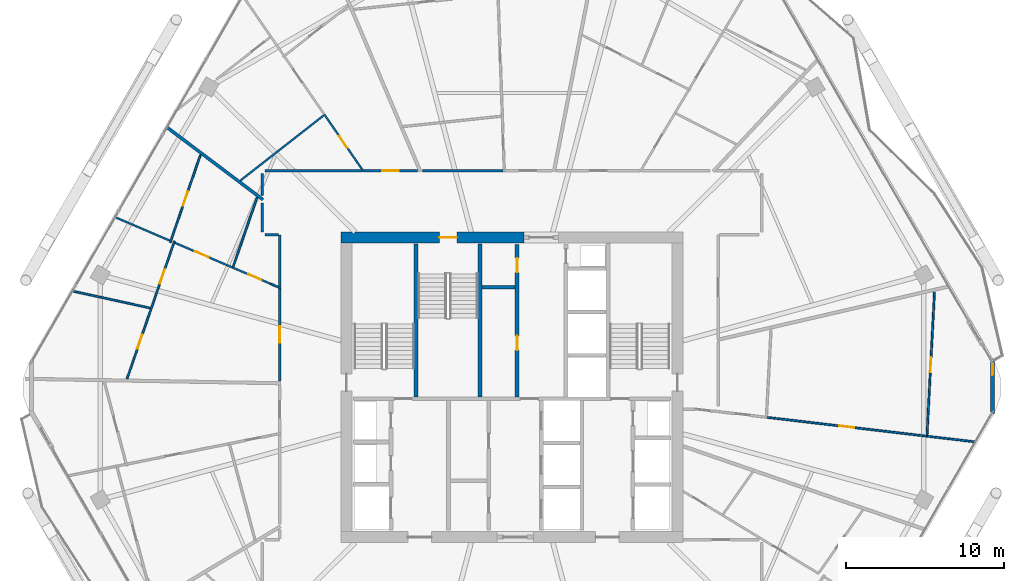
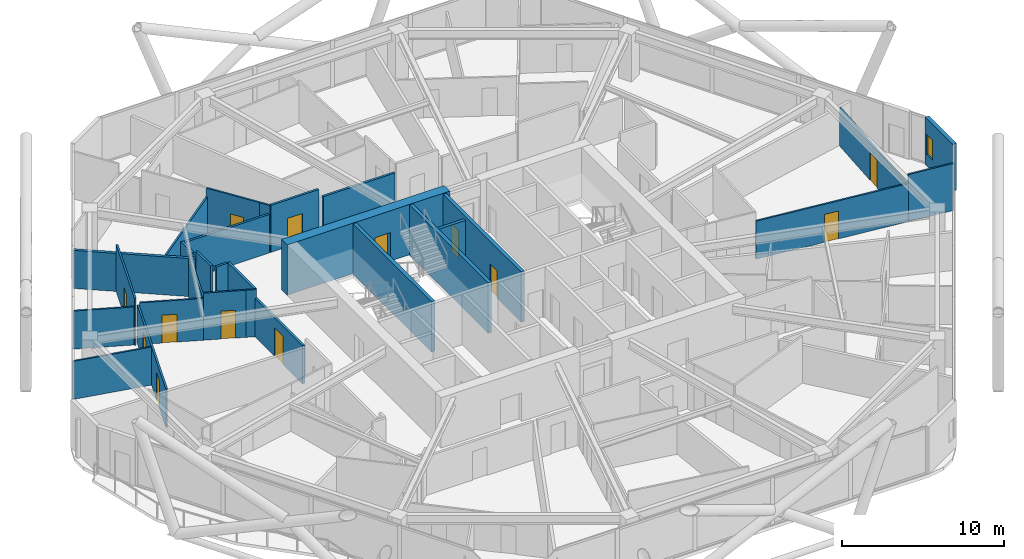
# One storey, part 22 of 27: 29 walls, 13 doors, 1 window, 14 openings.
"""IFC4 building model written with IfcOpenShell, lengths in metres."""

from ifc_helpers import new_model, si_unit, direction, frame, frame_2d, origin, place, context, subcontext, project, spatial, rectangle, extrude, material, layer, layer_set, type_object, element, fill, save


model = new_model("IFC4")

# Units and contexts
model_context = context("Model", 3, precision=1e-05, world=origin(), true_north=direction((0.0, 1.0)))
body_context = subcontext(model_context, "Body", "Model", "MODEL_VIEW")
ifc_project = project(units=[si_unit("LENGTHUNIT", "METRE"), si_unit("AREAUNIT", "SQUARE_METRE"), si_unit("VOLUMEUNIT", "CUBIC_METRE"), si_unit("PLANEANGLEUNIT", "RADIAN"), si_unit("MASSUNIT", "GRAM", prefix="KILO")], contexts=[model_context])

# Site, building, storey
site_placement = place(None, origin())
site = spatial("IfcSite", under=ifc_project, at=site_placement, CompositionType="ELEMENT")
building_placement = place(site_placement, origin())
building = spatial("IfcBuilding", under=site, at=building_placement, Name="Zuhravey Tower", CompositionType="ELEMENT")
storey_placement = place(building_placement, frame((0.0, 0.0, 215.0)))
storey = spatial("IfcBuildingStorey", under=building, at=storey_placement, Name="L54", CompositionType="ELEMENT", Elevation=215.0)

# Wall, opening, door
ifc_material_1 = material(Name="Concrete C60/75", Category="concrete")
ifc_layer_1 = layer(ifc_material_1, 0.699951171875)
ifc_layer_set_1 = layer_set([ifc_layer_1], Name="Concrete C60/75")
wall_type_1 = type_object("IfcWallType", Name="Core Shear Wall 700", PredefinedType="SHEAR", material=ifc_layer_set_1)
wall_1_placement = place(storey_placement, frame((36.75, 41.5, 0.0), z_axis=(0.0, 0.0, 1.0), x_axis=(-1.0, 0.0, 0.0)))
wall_1 = element("IfcWall", 1, at=wall_1_placement, inside=storey, type_object=wall_type_1, Name="L54 North-West Core Shear Wall CW70", PredefinedType="SHEAR", context=body_context, shape_type="SweptSolid", body=[
    extrude(rectangle(XDim=11.60009765625, YDim=0.699951171875, at=frame_2d((5.800048828125, 0.0))), origin(), (0.0, 0.0, 1.0), 3.800048828125),
])
opening_1_placement = place(wall_1_placement, frame((4.25, 0.0, 0.0)))
opening_1 = element("IfcOpeningElement", 2, at=opening_1_placement, cuts=wall_1, Name="Opening STD1", PredefinedType="OPENING", context=body_context, shape_type="SweptSolid", body=[
    extrude(rectangle(XDim=1.10009765625, YDim=2.14990234375, at=frame_2d((0.550048828125, 1.074951171875))), frame((0.0, 0.362060546875, 0.0), z_axis=(0.0, -1.0, 0.0), x_axis=(1.0, 0.0, 0.0)), (0.0, 0.0, 1.0), 0.723876953125),
])
ifc_material_2 = material(Name="Galvanised fire-rated steel leaf", Category="steel")
door_type_1 = type_object("IfcDoorType", Name="Protected Stair Fire Door 1100x2150", OperationType="NOTDEFINED", PredefinedType="USERDEFINED", material=ifc_material_2)
door_1_placement = place(opening_1_placement, origin())
door_1 = element("IfcDoor", 3, at=door_1_placement, inside=storey, type_object=door_type_1, Name="L54 Stair ST3 Door", ObjectType="EXITDOOR", OperationType="SINGLE_SWING_LEFT", OverallHeight=2.14990234375, OverallWidth=1.10009765625, PredefinedType="USERDEFINED", context=body_context, shape_type="SweptSolid", body=[
    extrude(rectangle(XDim=1.10009765625, YDim=2.14990234375, at=frame_2d((0.550048828125, 1.074951171875))), frame((0.0, 0.02490234375, 0.0), z_axis=(0.0, -1.0, 0.0), x_axis=(1.0, 0.0, 0.0)), (0.0, 0.0, 1.0), 0.050048828125),
])
fill(opening_1, door_1)

ifc_material_3 = material(Name="Gypsum fire-rated stud partition")
ifc_layer_2 = layer(ifc_material_3, 0.159912109375)
ifc_layer_set_2 = layer_set([ifc_layer_2], Name="Gypsum fire-rated stud partition")
wall_type_2 = type_object("IfcWallType", Name="Corridor Fire Partition 160", PredefinedType="PARTITIONING", material=ifc_layer_set_2)
wall_2_placement = place(storey_placement, frame((30.00830078125, 45.72998046875, 0.0), z_axis=(0.0, 0.0, 1.0), x_axis=(-1.0, 0.0, 0.0)))
wall_2 = element("IfcWall", 4, at=wall_2_placement, inside=storey, type_object=wall_type_2, Name="L54 IW16 Partition 035", PredefinedType="PARTITIONING", context=body_context, shape_type="SweptSolid", body=[
    extrude(rectangle(XDim=3.427490234375, YDim=0.159912109375, at=frame_2d((1.7138671875, 0.0))), origin(), (0.0, 0.0, 1.0), 3.550048828125),
])
opening_2_placement = place(wall_2_placement, frame((1.188720703125, 0.0, 0.0)))
opening_2 = element("IfcOpeningElement", 5, at=opening_2_placement, cuts=wall_2, Name="Opening APD1", PredefinedType="OPENING", context=body_context, shape_type="SweptSolid", body=[
    extrude(rectangle(XDim=1.050048828125, YDim=2.14990234375, at=frame_2d((0.52490234375, 1.074951171875))), frame((0.0, 0.092041015625, 0.0), z_axis=(0.0, -1.0, 0.0), x_axis=(1.0, 0.0, 0.0)), (0.0, 0.0, 1.0), 0.183837890625),
])
ifc_material_4 = material(Name="Solid-core oak fire-rated leaf")
door_type_2 = type_object("IfcDoorType", Name="Apartment Entrance Fire Door 1050x2150", OperationType="NOTDEFINED", PredefinedType="DOOR", material=ifc_material_4)
door_2_placement = place(opening_2_placement, frame((1.050048828125, 0.0, 0.0), z_axis=(0.0, 0.0, 1.0), x_axis=(-1.0, 0.0, 0.0)))
door_2 = element("IfcDoor", 6, at=door_2_placement, inside=storey, type_object=door_type_2, Name="L54 Door 035.1", OperationType="SINGLE_SWING_LEFT", OverallHeight=2.14990234375, OverallWidth=1.050048828125, PredefinedType="DOOR", context=body_context, shape_type="SweptSolid", body=[
    extrude(rectangle(XDim=1.050048828125, YDim=2.14990234375, at=frame_2d((0.52490234375, 1.074951171875))), frame((0.0, 0.02490234375, 0.0), z_axis=(0.0, -1.0, 0.0), x_axis=(1.0, 0.0, 0.0)), (0.0, 0.0, 1.0), 0.050048828125),
])
fill(opening_2, door_2)

wall_3_placement = place(storey_placement, frame((21.27001953125, 38.29150390625, 0.0), z_axis=(0.0, 0.0, 1.0), x_axis=(0.0, -1.0, 0.0)))
wall_3 = element("IfcWall", 7, at=wall_3_placement, inside=storey, type_object=wall_type_2, Name="L54 IW16 Partition 040", PredefinedType="PARTITIONING", context=body_context, shape_type="SweptSolid", body=[
    extrude(rectangle(XDim=5.8857421875, YDim=0.159912109375, at=frame_2d((2.94287109375, 0.0))), origin(), (0.0, 0.0, 1.0), 2.89990234375),
])
opening_3_placement = place(wall_3_placement, frame((2.41796875, 0.0, 0.0)))
opening_3 = element("IfcOpeningElement", 8, at=opening_3_placement, cuts=wall_3, Name="Opening APD1", PredefinedType="OPENING", context=body_context, shape_type="SweptSolid", body=[
    extrude(rectangle(XDim=1.050048828125, YDim=2.14990234375, at=frame_2d((0.52490234375, 1.074951171875))), frame((0.0, 0.092041015625, 0.0), z_axis=(0.0, -1.0, 0.0), x_axis=(1.0, 0.0, 0.0)), (0.0, 0.0, 1.0), 0.183837890625),
])
door_3_placement = place(opening_3_placement, frame((1.050048828125, 0.0, 0.0), z_axis=(0.0, 0.0, 1.0), x_axis=(-1.0, 0.0, 0.0)))
door_3 = element("IfcDoor", 9, at=door_3_placement, inside=storey, type_object=door_type_2, Name="L54 Door 040.1", OperationType="SINGLE_SWING_LEFT", OverallHeight=2.14990234375, OverallWidth=1.050048828125, PredefinedType="DOOR", context=body_context, shape_type="SweptSolid", body=[
    extrude(rectangle(XDim=1.050048828125, YDim=2.14990234375, at=frame_2d((0.52490234375, 1.074951171875))), frame((0.0, 0.02490234375, 0.0), z_axis=(0.0, -1.0, 0.0), x_axis=(1.0, 0.0, 0.0)), (0.0, 0.0, 1.0), 0.050048828125),
])
fill(opening_3, door_3)

# Walls
wall_4_placement = place(storey_placement, frame((35.44287109375, 45.72998046875, 0.0), z_axis=(0.0, 0.0, 1.0), x_axis=(-1.0, 0.0, 0.0)))
element("IfcWall", 10, at=wall_4_placement, inside=storey, type_object=wall_type_2, Name="L54 IW16 Partition 123", PredefinedType="PARTITIONING", context=body_context, shape_type="SweptSolid", body=[
    extrude(rectangle(XDim=5.1083984375, YDim=0.159912109375, at=frame_2d((2.55419921875, 0.0))), origin(), (0.0, 0.0, 1.0), 2.89990234375),
])
wall_5_placement = place(storey_placement, frame((26.47412109375, 45.72998046875, 0.0), z_axis=(0.0, 0.0, 1.0), x_axis=(-1.0, 0.0, 0.0)))
element("IfcWall", 11, at=wall_5_placement, inside=storey, type_object=wall_type_2, Name="L54 IW16 Partition 124", PredefinedType="PARTITIONING", context=body_context, shape_type="SweptSolid", body=[
    extrude(rectangle(XDim=6.1240234375, YDim=0.159912109375, at=frame_2d((3.06201171875, 0.0))), origin(), (0.0, 0.0, 1.0), 2.89990234375),
])
wall_6_placement = place(storey_placement, frame((20.169921875, 45.550048828125, 0.0), z_axis=(0.0, 0.0, 1.0), x_axis=(0.0, -1.0, 0.0)))
element("IfcWall", 12, at=wall_6_placement, inside=storey, type_object=wall_type_2, Name="L54 IW16 Partition 125", PredefinedType="PARTITIONING", context=body_context, shape_type="SweptSolid", body=[
    extrude(rectangle(XDim=1.3779296875, YDim=0.159912109375, at=frame_2d((0.68896484375, 0.0))), origin(), (0.0, 0.0, 1.0), 3.14990234375),
])
wall_7_placement = place(storey_placement, frame((21.27001953125, 41.669921875, 0.0), z_axis=(0.0, 0.0, 1.0), x_axis=(0.0, -1.0, 0.0)))
element("IfcWall", 13, at=wall_7_placement, inside=storey, type_object=wall_type_2, Name="L54 IW16 Partition 126", PredefinedType="PARTITIONING", context=body_context, shape_type="SweptSolid", body=[
    extrude(rectangle(XDim=3.28271484375, YDim=0.159912109375, at=frame_2d((1.641357421875, 0.0))), origin(), (0.0, 0.0, 1.0), 3.550048828125),
])
wall_8_placement = place(storey_placement, frame((20.169921875, 43.688720703125, 0.0), z_axis=(0.0, 0.0, 1.0), x_axis=(0.0, -1.0, 0.0)))
element("IfcWall", 14, at=wall_8_placement, inside=storey, type_object=wall_type_2, Name="L54 IW16 Partition 127", PredefinedType="PARTITIONING", context=body_context, shape_type="SweptSolid", body=[
    extrude(rectangle(XDim=1.838623046875, YDim=0.159912109375, at=frame_2d((0.91943359375, 0.0))), origin(), (0.0, 0.0, 1.0), 3.550048828125),
])
wall_9_placement = place(storey_placement, frame((20.35009765625, 41.669921875, 0.0), z_axis=(0.0, 0.0, 1.0), x_axis=(1.0, 0.0, 0.0)))
element("IfcWall", 15, at=wall_9_placement, inside=storey, type_object=wall_type_2, Name="L54 IW16 Partition 128", PredefinedType="PARTITIONING", context=body_context, shape_type="SweptSolid", body=[
    extrude(rectangle(XDim=0.831787109375, YDim=0.159912109375, at=frame_2d((0.416015625, 0.0))), origin(), (0.0, 0.0, 1.0), 3.550048828125),
])

# Wall, opening, window
ifc_material_5 = material(Name="Precast concrete C40/50", Category="concrete")
ifc_layer_3 = layer(ifc_material_5, 0.280029296875)
ifc_layer_set_3 = layer_set([ifc_layer_3], Name="Precast concrete C40/50")
wall_type_3 = type_object("IfcWallType", Name="Crown Architectural Wall 280", PredefinedType="SOLIDWALL", material=ifc_layer_set_3)
wall_10_placement = place(storey_placement, frame((66.4716796875, 33.6826171875, 0.0), z_axis=(0.0, 0.0, 1.0), x_axis=(0.0, -1.0, 0.0)))
wall_10 = element("IfcWall", 16, at=wall_10_placement, inside=storey, type_object=wall_type_3, Name="L54 Rounded Corner Closure Wall EW28-12", PredefinedType="SOLIDWALL", context=body_context, shape_type="SweptSolid", body=[
    extrude(rectangle(XDim=3.365234375, YDim=0.280029296875, at=frame_2d((1.6826171875, 0.0))), origin(), (0.0, 0.0, 1.0), 3.550048828125),
])
opening_4_placement = place(wall_10_placement, frame((0.17919921875, 0.0, 0.85009765625)))
opening_4 = element("IfcOpeningElement", 17, at=opening_4_placement, cuts=wall_10, Name="Opening WN5", PredefinedType="OPENING", context=body_context, shape_type="SweptSolid", body=[
    extrude(rectangle(XDim=0.75, YDim=1.5, at=frame_2d((0.375, 0.75))), frame((0.0, 0.152099609375, 0.0), z_axis=(0.0, -1.0, 0.0), x_axis=(1.0, 0.0, 0.0)), (0.0, 0.0, 1.0), 0.303955078125),
])
ifc_material_6 = material(Name="Thermally broken aluminium and triple low-E glass", Category="aluminium")
window_type = type_object("IfcWindowType", Name="Residential Corner Casement Window 750x1500", PartitioningType="SINGLE_PANEL", PredefinedType="WINDOW", material=ifc_material_6)
window_placement = place(opening_4_placement, origin())
window = element("IfcWindow", 18, at=window_placement, inside=storey, type_object=window_type, Name="L54 Corner Casement Window WN5-12.1", OverallHeight=1.5, OverallWidth=0.75, PartitioningType="SINGLE_PANEL", PredefinedType="WINDOW", context=body_context, shape_type="SweptSolid", body=[
    extrude(rectangle(XDim=0.75, YDim=1.5, at=frame_2d((0.375, 0.75))), frame((0.0, 0.030029296875, 0.0), z_axis=(0.0, -1.0, 0.0), x_axis=(1.0, 0.0, 0.0)), (0.0, 0.0, 1.0), 0.06005859375),
])
fill(opening_4, window)

# Walls
ifc_material_7 = material(Name="Concrete C50/60", Category="concrete")
ifc_layer_4 = layer(ifc_material_7, 0.25)
ifc_layer_set_4 = layer_set([ifc_layer_4], Name="Concrete C50/60")
wall_type_4 = type_object("IfcWallType", Name="Firefighting Shaft & Stair Wall 250", PredefinedType="SOLIDWALL", material=ifc_layer_set_4)
for number, where, z_axis, x_axis, name in (
    (19, (29.925048828125, 31.39990234375, 0.0), (0.0, 0.0, 1.0), (0.0, 1.0, 0.0), "L54 FW25 Shaft Wall 004"),
    (20, (33.97509765625, 31.39990234375, 0.0), (0.0, 0.0, 1.0), (0.0, 1.0, 0.0), "L54 FW25 Shaft Wall 005"),
):
    element("IfcWall", number, at=place(storey_placement, frame(where, z_axis=z_axis, x_axis=x_axis)), inside=storey, type_object=wall_type_4, Name=name, PredefinedType="SOLIDWALL", context=body_context, shape_type="SweptSolid", body=[
        extrude(rectangle(XDim=9.7001953125, YDim=0.25, at=frame_2d((4.85009765625, 0.0))), origin(), (0.0, 0.0, 1.0), 3.800048828125),
    ])

# Wall, openings, doors
wall_11_placement = place(storey_placement, frame((36.324951171875, 31.39990234375, 0.0), z_axis=(0.0, 0.0, 1.0), x_axis=(0.0, 1.0, 0.0)))
wall_11 = element("IfcWall", 21, at=wall_11_placement, inside=storey, type_object=wall_type_4, Name="L54 FW25 Shaft Wall 007", PredefinedType="SOLIDWALL", context=body_context, shape_type="SweptSolid", body=[
    extrude(rectangle(XDim=9.650146484375, YDim=0.25, at=frame_2d((4.8251953125, 0.0))), origin(), (0.0, 0.0, 1.0), 3.800048828125),
])
opening_5_placement = place(wall_11_placement, frame((2.965087890625, 0.0, 0.0)))
opening_5 = element("IfcOpeningElement", 22, at=opening_5_placement, cuts=wall_11, Name="Opening RSD1", PredefinedType="OPENING", context=body_context, shape_type="SweptSolid", body=[
    extrude(rectangle(XDim=0.89990234375, YDim=2.10009765625, at=frame_2d((0.449951171875, 1.050048828125))), frame((0.0, 0.136962890625, 0.0), z_axis=(0.0, -1.0, 0.0), x_axis=(1.0, 0.0, 0.0)), (0.0, 0.0, 1.0), 0.27392578125),
])
opening_6_placement = place(wall_11_placement, frame((7.885009765625, 0.0, 0.0)))
opening_6 = element("IfcOpeningElement", 23, at=opening_6_placement, cuts=wall_11, Name="Opening RSD1", PredefinedType="OPENING", context=body_context, shape_type="SweptSolid", body=[
    extrude(rectangle(XDim=0.89990234375, YDim=2.10009765625, at=frame_2d((0.449951171875, 1.050048828125))), frame((0.0, 0.136962890625, 0.0), z_axis=(0.0, -1.0, 0.0), x_axis=(1.0, 0.0, 0.0)), (0.0, 0.0, 1.0), 0.27392578125),
])
ifc_material_8 = material(Name="Galvanised fire-rated steel access leaf", Category="steel")
door_type_3 = type_object("IfcDoorType", Name="Riser & Shaft Access Fire Door 900x2100", OperationType="NOTDEFINED", PredefinedType="DOOR", material=ifc_material_8)
door_4_placement = place(opening_5_placement, origin())
door_4 = element("IfcDoor", 24, at=door_4_placement, inside=storey, type_object=door_type_3, Name="L54 Equipment and Refuse Store Door", OperationType="SINGLE_SWING_LEFT", OverallHeight=2.10009765625, OverallWidth=0.89990234375, PredefinedType="DOOR", context=body_context, shape_type="SweptSolid", body=[
    extrude(rectangle(XDim=0.89990234375, YDim=2.10009765625, at=frame_2d((0.449951171875, 1.050048828125))), frame((0.0, 0.02490234375, 0.0), z_axis=(0.0, -1.0, 0.0), x_axis=(1.0, 0.0, 0.0)), (0.0, 0.0, 1.0), 0.050048828125),
])
fill(opening_5, door_4)
door_5_placement = place(opening_6_placement, origin())
door_5 = element("IfcDoor", 25, at=door_5_placement, inside=storey, type_object=door_type_3, Name="L54 BMS Control Room Door", OperationType="SINGLE_SWING_RIGHT", OverallHeight=2.10009765625, OverallWidth=0.89990234375, PredefinedType="DOOR", context=body_context, shape_type="SweptSolid", body=[
    extrude(rectangle(XDim=0.89990234375, YDim=2.10009765625, at=frame_2d((0.449951171875, 1.050048828125))), frame((0.0, 0.02490234375, 0.0), z_axis=(0.0, -1.0, 0.0), x_axis=(1.0, 0.0, 0.0)), (0.0, 0.0, 1.0), 0.050048828125),
])
fill(opening_6, door_5)

# Walls
ifc_material_9 = material(Name="Gypsum double-stud party assembly")
ifc_layer_5 = layer(ifc_material_9, 0.199951171875)
ifc_layer_set_5 = layer_set([ifc_layer_5], Name="Gypsum double-stud party assembly")
wall_type_5 = type_object("IfcWallType", Name="Inter-Tenancy Party Wall 200", PredefinedType="PARTITIONING", material=ifc_layer_set_5)
wall_12_placement = place(storey_placement, frame((20.2099609375, 43.898681640625, 0.0), z_axis=(0.0, 0.0, 1.0), x_axis=(-0.798624602277, 0.601829497979, 0.0)))
element("IfcWall", 26, at=wall_12_placement, inside=storey, type_object=wall_type_5, Name="L54 IW20 Partition 090", PredefinedType="PARTITIONING", context=body_context, shape_type="SweptSolid", body=[
    extrude(rectangle(XDim=7.615966796875, YDim=0.199951171875, at=frame_2d((3.80810546875, 0.0))), origin(), (0.0, 0.0, 1.0), 2.8701171875),
])
ifc_material_10 = material(Name="Gypsum acoustic stud assembly")
ifc_layer_6 = layer(ifc_material_10, 0.219970703125)
ifc_layer_set_6 = layer_set([ifc_layer_6], Name="Gypsum acoustic stud assembly")
wall_type_6 = type_object("IfcWallType", Name="School Acoustic Compartment Wall 220", PredefinedType="PARTITIONING", material=ifc_layer_set_6)
wall_13_placement = place(storey_placement, frame((34.10791015625, 38.35009765625, 0.0), z_axis=(0.0, 0.0, 1.0), x_axis=(1.0, 0.0, 0.0)))
element("IfcWall", 27, at=wall_13_placement, inside=storey, type_object=wall_type_6, Name="L54 IW22 Partition 070", PredefinedType="PARTITIONING", context=body_context, shape_type="SweptSolid", body=[
    extrude(rectangle(XDim=2.083984375, YDim=0.219970703125, at=frame_2d((1.0419921875, 0.0))), origin(), (0.0, 0.0, 1.0), 3.550048828125),
])

# Wall, opening, door
ifc_material_11 = material(Name="Gypsum metal-stud partition")
ifc_layer_7 = layer(ifc_material_11, 0.1201171875)
ifc_layer_set_7 = layer_set([ifc_layer_7], Name="Gypsum metal-stud partition")
wall_type_7 = type_object("IfcWallType", Name="Unit Internal Partition 120", PredefinedType="PARTITIONING", material=ifc_layer_set_7)
wall_14_placement = place(storey_placement, frame((26.16455078125, 46.300048828125, 0.0), z_axis=(0.0, 0.0, 1.0), x_axis=(-0.566727772042, 0.823905111282, 0.0)))
wall_14 = element("IfcWall", 28, at=wall_14_placement, inside=storey, type_object=wall_type_7, Name="L54 IW12 Partition 031", PredefinedType="PARTITIONING", context=body_context, shape_type="SweptSolid", body=[
    extrude(rectangle(XDim=3.645263671875, YDim=0.1201171875, at=frame_2d((1.82275390625, 0.0))), origin(), (0.0, 0.0, 1.0), 3.550048828125),
])
opening_7_placement = place(wall_14_placement, frame((1.0810546875, 0.0, 0.0)))
opening_7 = element("IfcOpeningElement", 29, at=opening_7_placement, cuts=wall_14, Name="Opening WCD1", PredefinedType="OPENING", context=body_context, shape_type="SweptSolid", body=[
    extrude(rectangle(XDim=0.89990234375, YDim=2.10009765625, at=frame_2d((0.449951171875, 1.050048828125))), frame((0.0, 0.072021484375, 0.0), z_axis=(0.0, -1.0, 0.0), x_axis=(1.0, 0.0, 0.0)), (0.0, 0.0, 1.0), 0.14404296875),
])
ifc_material_12 = material(Name="Moisture-resistant timber leaf", Category="wood")
door_type_4 = type_object("IfcDoorType", Name="Bathroom & WC Internal Door 900x2100", OperationType="NOTDEFINED", PredefinedType="DOOR", material=ifc_material_12)
door_6_placement = place(opening_7_placement, origin())
door_6 = element("IfcDoor", 30, at=door_6_placement, inside=storey, type_object=door_type_4, Name="Apartment L54-03 Bathroom Door", OperationType="SINGLE_SWING_RIGHT", OverallHeight=2.10009765625, OverallWidth=0.89990234375, PredefinedType="DOOR", context=body_context, shape_type="SweptSolid", body=[
    extrude(rectangle(XDim=0.89990234375, YDim=2.10009765625, at=frame_2d((0.449951171875, 1.050048828125))), frame((0.0, 0.02490234375, 0.0), z_axis=(0.0, -1.0, 0.0), x_axis=(1.0, 0.0, 0.0)), (0.0, 0.0, 1.0), 0.050048828125),
])
fill(opening_7, door_6)

# Wall, openings, doors
wall_15_placement = place(storey_placement, frame((14.595703125, 41.28271484375, 0.0), z_axis=(0.0, 0.0, 1.0), x_axis=(-0.325558599515, -0.945521865576, 0.0)))
wall_15 = element("IfcWall", 31, at=wall_15_placement, inside=storey, type_object=wall_type_7, Name="L54 IW12 Partition 036", PredefinedType="PARTITIONING", context=body_context, shape_type="SweptSolid", body=[
    extrude(rectangle(XDim=9.2470703125, YDim=0.1201171875, at=frame_2d((4.62353515625, 0.0))), origin(), (0.0, 0.0, 1.0), 2.89990234375),
])
opening_8_placement = place(wall_15_placement, frame((1.906005859375, 0.0, 0.0)))
opening_8 = element("IfcOpeningElement", 32, at=opening_8_placement, cuts=wall_15, Name="Opening IND1", PredefinedType="OPENING", context=body_context, shape_type="SweptSolid", body=[
    extrude(rectangle(XDim=0.949951171875, YDim=2.10009765625, at=frame_2d((0.47509765625, 1.050048828125))), frame((0.0, 0.072021484375, 0.0), z_axis=(0.0, -1.0, 0.0), x_axis=(1.0, 0.0, 0.0)), (0.0, 0.0, 1.0), 0.14404296875),
])
opening_9_placement = place(wall_15_placement, frame((6.288818359375, 0.0, 0.0)))
opening_9 = element("IfcOpeningElement", 33, at=opening_9_placement, cuts=wall_15, Name="Opening IND1", PredefinedType="OPENING", context=body_context, shape_type="SweptSolid", body=[
    extrude(rectangle(XDim=0.949951171875, YDim=2.10009765625, at=frame_2d((0.47509765625, 1.050048828125))), frame((0.0, 0.072021484375, 0.0), z_axis=(0.0, -1.0, 0.0), x_axis=(1.0, 0.0, 0.0)), (0.0, 0.0, 1.0), 0.14404296875),
])
ifc_material_13 = material(Name="Painted engineered timber leaf", Category="wood")
door_type_5 = type_object("IfcDoorType", Name="Internal Room & Bedroom Door 950x2100", OperationType="NOTDEFINED", PredefinedType="DOOR", material=ifc_material_13)
door_7_placement = place(opening_8_placement, frame((0.949951171875, 0.0, 0.0), z_axis=(0.0, 0.0, 1.0), x_axis=(-1.0, 0.0, 0.0)))
door_7 = element("IfcDoor", 34, at=door_7_placement, inside=storey, type_object=door_type_5, Name="Apartment L54-04 Family Study Door", OperationType="SINGLE_SWING_RIGHT", OverallHeight=2.10009765625, OverallWidth=0.949951171875, PredefinedType="DOOR", context=body_context, shape_type="SweptSolid", body=[
    extrude(rectangle(XDim=0.949951171875, YDim=2.10009765625, at=frame_2d((0.47509765625, 1.050048828125))), frame((0.0, 0.02490234375, 0.0), z_axis=(0.0, -1.0, 0.0), x_axis=(1.0, 0.0, 0.0)), (0.0, 0.0, 1.0), 0.050048828125),
])
fill(opening_8, door_7)
door_8_placement = place(opening_9_placement, frame((0.949951171875, 0.0, 0.0), z_axis=(0.0, 0.0, 1.0), x_axis=(-1.0, 0.0, 0.0)))
door_8 = element("IfcDoor", 35, at=door_8_placement, inside=storey, type_object=door_type_5, Name="Apartment L54-04 Dining Room Door", OperationType="SINGLE_SWING_LEFT", OverallHeight=2.10009765625, OverallWidth=0.949951171875, PredefinedType="DOOR", context=body_context, shape_type="SweptSolid", body=[
    extrude(rectangle(XDim=0.949951171875, YDim=2.10009765625, at=frame_2d((0.47509765625, 1.050048828125))), frame((0.0, 0.02490234375, 0.0), z_axis=(0.0, -1.0, 0.0), x_axis=(1.0, 0.0, 0.0)), (0.0, 0.0, 1.0), 0.050048828125),
])
fill(opening_9, door_8)

# Wall, opening, door
wall_16_placement = place(storey_placement, frame((20.699951171875, 38.5576171875, 0.0), z_axis=(0.0, 0.0, 1.0), x_axis=(-0.919154606235, 0.393896953322, 0.0)))
wall_16 = element("IfcWall", 36, at=wall_16_placement, inside=storey, type_object=wall_type_7, Name="L54 IW12 Partition 037", PredefinedType="PARTITIONING", context=body_context, shape_type="SweptSolid", body=[
    extrude(rectangle(XDim=2.63720703125, YDim=0.1201171875, at=frame_2d((1.318603515625, 0.0))), origin(), (0.0, 0.0, 1.0), 3.550048828125),
])
opening_10_placement = place(wall_16_placement, frame((0.65771484375, 0.0, 0.0)))
opening_10 = element("IfcOpeningElement", 37, at=opening_10_placement, cuts=wall_16, Name="Opening WCD1", PredefinedType="OPENING", context=body_context, shape_type="SweptSolid", body=[
    extrude(rectangle(XDim=0.89990234375, YDim=2.10009765625, at=frame_2d((0.449951171875, 1.050048828125))), frame((0.0, 0.072021484375, 0.0), z_axis=(0.0, -1.0, 0.0), x_axis=(1.0, 0.0, 0.0)), (0.0, 0.0, 1.0), 0.14404296875),
])
door_9_placement = place(opening_10_placement, frame((0.89990234375, 0.0, 0.0), z_axis=(0.0, 0.0, 1.0), x_axis=(-1.0, 0.0, 0.0)))
door_9 = element("IfcDoor", 38, at=door_9_placement, inside=storey, type_object=door_type_4, Name="Apartment L54-04 Bathroom Door", OperationType="SINGLE_SWING_RIGHT", OverallHeight=2.10009765625, OverallWidth=0.89990234375, PredefinedType="DOOR", context=body_context, shape_type="SweptSolid", body=[
    extrude(rectangle(XDim=0.89990234375, YDim=2.10009765625, at=frame_2d((0.449951171875, 1.050048828125))), frame((0.0, 0.02490234375, 0.0), z_axis=(0.0, -1.0, 0.0), x_axis=(1.0, 0.0, 0.0)), (0.0, 0.0, 1.0), 0.050048828125),
])
fill(opening_10, door_9)

wall_17_placement = place(storey_placement, frame((18.27587890625, 39.596435546875, 0.0), z_axis=(0.0, 0.0, 1.0), x_axis=(-0.919125948941, 0.393963818115, 0.0)))
wall_17 = element("IfcWall", 39, at=wall_17_placement, inside=storey, type_object=wall_type_7, Name="L54 IW12 Partition 038", PredefinedType="PARTITIONING", context=body_context, shape_type="SweptSolid", body=[
    extrude(rectangle(XDim=3.970947265625, YDim=0.1201171875, at=frame_2d((1.9853515625, 0.0))), origin(), (0.0, 0.0, 1.0), 3.14990234375),
])
opening_11_placement = place(wall_17_placement, frame((1.642333984375, 0.0, 0.0)))
opening_11 = element("IfcOpeningElement", 40, at=opening_11_placement, cuts=wall_17, Name="Opening IND1", PredefinedType="OPENING", context=body_context, shape_type="SweptSolid", body=[
    extrude(rectangle(XDim=0.949951171875, YDim=2.10009765625, at=frame_2d((0.47509765625, 1.050048828125))), frame((0.0, 0.072021484375, 0.0), z_axis=(0.0, -1.0, 0.0), x_axis=(1.0, 0.0, 0.0)), (0.0, 0.0, 1.0), 0.14404296875),
])
door_10_placement = place(opening_11_placement, frame((0.949951171875, 0.0, 0.0), z_axis=(0.0, 0.0, 1.0), x_axis=(-1.0, 0.0, 0.0)))
door_10 = element("IfcDoor", 41, at=door_10_placement, inside=storey, type_object=door_type_5, Name="Apartment L54-04 Home Office Door", OperationType="SINGLE_SWING_LEFT", OverallHeight=2.10009765625, OverallWidth=0.949951171875, PredefinedType="DOOR", context=body_context, shape_type="SweptSolid", body=[
    extrude(rectangle(XDim=0.949951171875, YDim=2.10009765625, at=frame_2d((0.47509765625, 1.050048828125))), frame((0.0, 0.02490234375, 0.0), z_axis=(0.0, -1.0, 0.0), x_axis=(1.0, 0.0, 0.0)), (0.0, 0.0, 1.0), 0.050048828125),
])
fill(opening_11, door_10)

wall_18_placement = place(storey_placement, frame((16.243896484375, 46.7431640625, 0.0), z_axis=(0.0, 0.0, 1.0), x_axis=(-0.325548210575, -0.945525442593, 0.0)))
wall_18 = element("IfcWall", 42, at=wall_18_placement, inside=storey, type_object=wall_type_7, Name="L54 IW12 Partition 039", PredefinedType="PARTITIONING", context=body_context, shape_type="SweptSolid", body=[
    extrude(rectangle(XDim=5.884033203125, YDim=0.1201171875, at=frame_2d((2.94189453125, 0.0))), origin(), (0.0, 0.0, 1.0), 3.550048828125),
])
opening_12_placement = place(wall_18_placement, frame((2.467041015625, 0.0, 0.0)))
opening_12 = element("IfcOpeningElement", 43, at=opening_12_placement, cuts=wall_18, Name="Opening IND1", PredefinedType="OPENING", context=body_context, shape_type="SweptSolid", body=[
    extrude(rectangle(XDim=0.949951171875, YDim=2.10009765625, at=frame_2d((0.47509765625, 1.050048828125))), frame((0.0, 0.072021484375, 0.0), z_axis=(0.0, -1.0, 0.0), x_axis=(1.0, 0.0, 0.0)), (0.0, 0.0, 1.0), 0.14404296875),
])
door_11_placement = place(opening_12_placement, frame((0.949951171875, 0.0, 0.0), z_axis=(0.0, 0.0, 1.0), x_axis=(-1.0, 0.0, 0.0)))
door_11 = element("IfcDoor", 44, at=door_11_placement, inside=storey, type_object=door_type_5, Name="Apartment L54-04 Bedroom 1 Door", OperationType="SINGLE_SWING_RIGHT", OverallHeight=2.10009765625, OverallWidth=0.949951171875, PredefinedType="DOOR", context=body_context, shape_type="SweptSolid", body=[
    extrude(rectangle(XDim=0.949951171875, YDim=2.10009765625, at=frame_2d((0.47509765625, 1.050048828125))), frame((0.0, 0.02490234375, 0.0), z_axis=(0.0, -1.0, 0.0), x_axis=(1.0, 0.0, 0.0)), (0.0, 0.0, 1.0), 0.050048828125),
])
fill(opening_12, door_11)

wall_19_placement = place(storey_placement, frame((52.159423828125, 30.095947265625, 0.0), z_axis=(0.0, 0.0, 1.0), x_axis=(0.993128962812, -0.117025053828, 0.0)))
wall_19 = element("IfcWall", 45, at=wall_19_placement, inside=storey, type_object=wall_type_7, Name="L54 IW12 Partition 066", PredefinedType="PARTITIONING", context=body_context, shape_type="SweptSolid", body=[
    extrude(rectangle(XDim=10.24951171875, YDim=0.1201171875, at=frame_2d((5.124755859375, 0.0))), origin(), (0.0, 0.0, 1.0), 2.8701171875),
])
opening_13_placement = place(wall_19_placement, frame((4.625, 0.0, 0.0)))
opening_13 = element("IfcOpeningElement", 46, at=opening_13_placement, cuts=wall_19, Name="Opening IND1", PredefinedType="OPENING", context=body_context, shape_type="SweptSolid", body=[
    extrude(rectangle(XDim=0.949951171875, YDim=2.10009765625, at=frame_2d((0.47509765625, 1.050048828125))), frame((0.0, 0.072021484375, 0.0), z_axis=(0.0, -1.0, 0.0), x_axis=(1.0, 0.0, 0.0)), (0.0, 0.0, 1.0), 0.14404296875),
])
door_12_placement = place(opening_13_placement, origin())
door_12 = element("IfcDoor", 47, at=door_12_placement, inside=storey, type_object=door_type_5, Name="Apartment L54-10 Home Office Door", OperationType="SINGLE_SWING_LEFT", OverallHeight=2.10009765625, OverallWidth=0.949951171875, PredefinedType="DOOR", context=body_context, shape_type="SweptSolid", body=[
    extrude(rectangle(XDim=0.949951171875, YDim=2.10009765625, at=frame_2d((0.47509765625, 1.050048828125))), frame((0.0, 0.02490234375, 0.0), z_axis=(0.0, -1.0, 0.0), x_axis=(1.0, 0.0, 0.0)), (0.0, 0.0, 1.0), 0.050048828125),
])
fill(opening_13, door_12)

wall_20_placement = place(storey_placement, frame((62.3173828125, 28.967529296875, 0.0), z_axis=(0.0, 0.0, 1.0), x_axis=(0.052336032443, 0.998629530761, 0.0)))
wall_20 = element("IfcWall", 48, at=wall_20_placement, inside=storey, type_object=wall_type_7, Name="L54 IW12 Partition 067", PredefinedType="PARTITIONING", context=body_context, shape_type="SweptSolid", body=[
    extrude(rectangle(XDim=9.087158203125, YDim=0.1201171875, at=frame_2d((4.54345703125, 0.0))), origin(), (0.0, 0.0, 1.0), 2.8701171875),
])
opening_14_placement = place(wall_20_placement, frame((3.984375, 0.0, 0.0)))
opening_14 = element("IfcOpeningElement", 49, at=opening_14_placement, cuts=wall_20, Name="Opening IND1", PredefinedType="OPENING", context=body_context, shape_type="SweptSolid", body=[
    extrude(rectangle(XDim=0.949951171875, YDim=2.10009765625, at=frame_2d((0.47509765625, 1.050048828125))), frame((0.0, 0.072021484375, 0.0), z_axis=(0.0, -1.0, 0.0), x_axis=(1.0, 0.0, 0.0)), (0.0, 0.0, 1.0), 0.14404296875),
])
door_13_placement = place(opening_14_placement, frame((0.949951171875, 0.0, 0.0), z_axis=(0.0, 0.0, 1.0), x_axis=(-1.0, 0.0, 0.0)))
door_13 = element("IfcDoor", 50, at=door_13_placement, inside=storey, type_object=door_type_5, Name="Apartment L54-10 Bedroom 1 Door", OperationType="SINGLE_SWING_RIGHT", OverallHeight=2.10009765625, OverallWidth=0.949951171875, PredefinedType="DOOR", context=body_context, shape_type="SweptSolid", body=[
    extrude(rectangle(XDim=0.949951171875, YDim=2.10009765625, at=frame_2d((0.47509765625, 1.050048828125))), frame((0.0, 0.02490234375, 0.0), z_axis=(0.0, -1.0, 0.0), x_axis=(1.0, 0.0, 0.0)), (0.0, 0.0, 1.0), 0.050048828125),
])
fill(opening_14, door_13)

# Walls
wall_21_placement = place(storey_placement, frame((26.580810546875, 45.69482421875, 0.0), z_axis=(0.0, 0.0, 1.0), x_axis=(-0.566683975736, 0.823935235103, 0.0)))
element("IfcWall", 51, at=wall_21_placement, inside=storey, type_object=wall_type_7, Name="L54 IW12 Partition 086", PredefinedType="PARTITIONING", context=body_context, shape_type="SweptSolid", body=[
    extrude(rectangle(XDim=0.734619140625, YDim=0.1201171875, at=frame_2d((0.3671875, 0.0))), origin(), (0.0, 0.0, 1.0), 3.550048828125),
])
wall_22_placement = place(storey_placement, frame((24.05908203125, 49.240966796875, 0.0), z_axis=(0.0, 0.0, 1.0), x_axis=(-0.78800895829, -0.615663773219, 0.0)))
element("IfcWall", 52, at=wall_22_placement, inside=storey, type_object=wall_type_7, Name="L54 IW12 Partition 088", PredefinedType="PARTITIONING", context=body_context, shape_type="SweptSolid", body=[
    extrude(rectangle(XDim=6.72314453125, YDim=0.1201171875, at=frame_2d((3.361572265625, 0.0))), origin(), (0.0, 0.0, 1.0), 2.89990234375),
])
wall_23_placement = place(storey_placement, frame((13.057373046875, 37.023193359375, 0.0), z_axis=(0.0, 0.0, 1.0), x_axis=(-0.976856341371, 0.21389644299, 0.0)))
element("IfcWall", 53, at=wall_23_placement, inside=storey, type_object=wall_type_7, Name="L54 IW12 Partition 091", PredefinedType="PARTITIONING", context=body_context, shape_type="SweptSolid", body=[
    extrude(rectangle(XDim=5.0712890625, YDim=0.1201171875, at=frame_2d((2.53564453125, 0.0))), origin(), (0.0, 0.0, 1.0), 2.8701171875),
])
wall_24_placement = place(storey_placement, frame((21.31298828125, 38.294921875, 0.0), z_axis=(0.0, 0.0, 1.0), x_axis=(-0.919163962833, 0.393875119079, 0.0)))
element("IfcWall", 54, at=wall_24_placement, inside=storey, type_object=wall_type_7, Name="L54 IW12 Partition 092", PredefinedType="PARTITIONING", context=body_context, shape_type="SweptSolid", body=[
    extrude(rectangle(XDim=0.6669921875, YDim=0.1201171875, at=frame_2d((0.33349609375, 0.0))), origin(), (0.0, 0.0, 1.0), 3.550048828125),
])
wall_25_placement = place(storey_placement, frame((14.29833984375, 41.30126953125, 0.0), z_axis=(0.0, 0.0, 1.0), x_axis=(-0.919128279921, 0.393958379845, 0.0)))
element("IfcWall", 55, at=wall_25_placement, inside=storey, type_object=wall_type_7, Name="L54 IW12 Partition 093", PredefinedType="PARTITIONING", context=body_context, shape_type="SweptSolid", body=[
    extrude(rectangle(XDim=3.769775390625, YDim=0.1201171875, at=frame_2d((1.884765625, 0.0))), origin(), (0.0, 0.0, 1.0), 2.8701171875),
])
wall_26_placement = place(storey_placement, frame((19.83447265625, 44.04638671875, 0.0), z_axis=(0.0, 0.0, 1.0), x_axis=(-0.325524485892, -0.945533610764, 0.0)))
element("IfcWall", 56, at=wall_26_placement, inside=storey, type_object=wall_type_7, Name="L54 IW12 Partition 094", PredefinedType="PARTITIONING", context=body_context, shape_type="SweptSolid", body=[
    extrude(rectangle(XDim=4.6484375, YDim=0.1201171875, at=frame_2d((2.32421875, 0.0))), origin(), (0.0, 0.0, 1.0), 3.14990234375),
])
wall_27_placement = place(storey_placement, frame((62.338623046875, 28.896484375, 0.0), z_axis=(0.0, 0.0, 1.0), x_axis=(0.99313759999, -0.116951731436, 0.0)))
element("IfcWall", 57, at=wall_27_placement, inside=storey, type_object=wall_type_7, Name="L54 IW12 Partition 119", PredefinedType="PARTITIONING", context=body_context, shape_type="SweptSolid", body=[
    extrude(rectangle(XDim=3.076904296875, YDim=0.1201171875, at=frame_2d((1.53857421875, 0.0))), origin(), (0.0, 0.0, 1.0), 3.550048828125),
])

save(model, "model.ifc")
